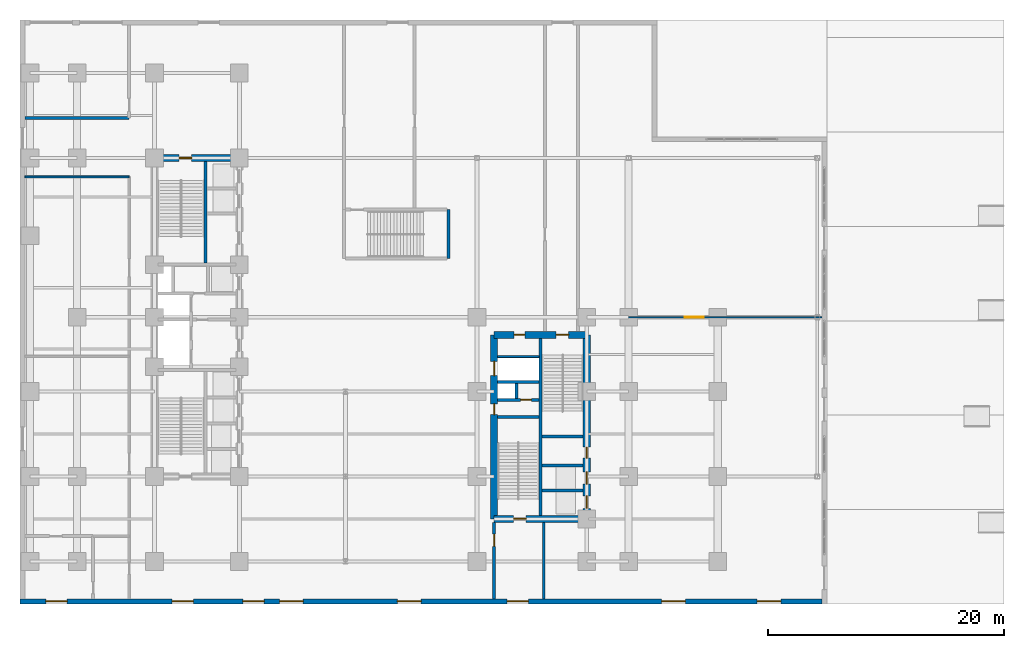
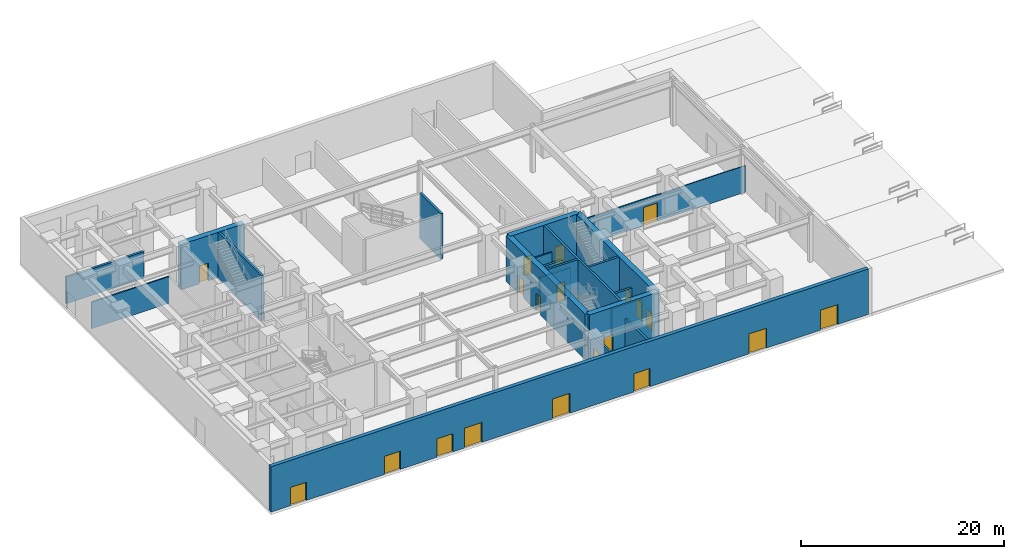
# One storey, part 11 of 18: 22 walls, 20 doors, 20 openings.
"""IFC4 building model written with IfcOpenShell, lengths in metres."""

from ifc_helpers import new_model, entity, si_unit, converted_unit, direction, frame, origin_with_axes, origin_2d_with_axis, place, context, subcontext, project, spatial, polyline, rectangle, outline, extrude, material, layer, layer_set, type_object, element, fill, save


model = new_model("IFC4")

# Units and contexts
model_context = context("Model", 3, precision=1e-05, world=origin_with_axes(), true_north=direction((0.0, 1.0)))
body_context = subcontext(model_context, "Body", "Model", "MODEL_VIEW")
ifc_project = project(units=[si_unit("LENGTHUNIT", "METRE"), si_unit("AREAUNIT", "SQUARE_METRE"), si_unit("VOLUMEUNIT", "CUBIC_METRE"), converted_unit("PLANEANGLEUNIT", "DEGREE", entity("IfcPlaneAngleMeasure", 0.017453292519943295), si_unit("PLANEANGLEUNIT", "RADIAN"), dimensions=[0, 0, 0, 0, 0, 0, 0]), si_unit("MASSUNIT", "GRAM", prefix="KILO"), si_unit("THERMODYNAMICTEMPERATUREUNIT", "KELVIN")], contexts=[model_context])

# Site, building, storey
site_placement = place(None, origin_with_axes())
site = spatial("IfcSite", under=ifc_project, at=site_placement, CompositionType="ELEMENT")
building_placement = place(site_placement, origin_with_axes())
building = spatial("IfcBuilding", under=site, at=building_placement, Name="Varnlund Millrace Tower", CompositionType="ELEMENT")
storey_placement = place(building_placement, origin_with_axes())
storey = spatial("IfcBuildingStorey", under=building, at=storey_placement, Name="L00", CompositionType="ELEMENT", Elevation=0.0)

# Wall, opening, door
ifc_material_1 = material(Name="Concrete C80/95", Category="concrete")
ifc_layer_1 = layer(ifc_material_1, 0.6, Name="Concrete C80/95")
ifc_layer_set_1 = layer_set([ifc_layer_1], Name="Concrete C80/95")
wall_type_1 = type_object("IfcWallType", Name="Type-CoreWall-Shear-600-C80", PredefinedType="SHEAR", material=ifc_layer_set_1)
wall_1_placement = place(storey_placement, frame((11.4, 37.8, 0.0), z_axis=(0.0, 0.0, 1.0), x_axis=(1.0, 0.0, 0.0)))
wall_1 = element("IfcWall", 1, at=wall_1_placement, inside=storey, type_object=wall_type_1, Name="Type-CoreWall-Shear-600-C80", PredefinedType="SHEAR", context=body_context, shape_type="SweptSolid", body=[
    extrude(outline(polyline([(0.0, -0.3), (7.2, -0.3), (7.2, 0.3), (0.0, 0.3), (0.0, -0.3)])), origin_with_axes(), (0.0, 0.0, 1.0), 5.46),
])
opening_1_placement = place(wall_1_placement, frame((2.625, 0.0, 0.0), z_axis=(0.0, 0.0, 1.0), x_axis=(1.0, 0.0, 0.0)))
opening_1 = element("IfcOpeningElement", 2, at=opening_1_placement, cuts=wall_1, Name="Opening L00:DR-STA2", PredefinedType="OPENING", context=body_context, shape_type="SweptSolid", body=[
    extrude(rectangle(XDim=1.05, YDim=0.62, at=origin_2d_with_axis()), origin_with_axes(), (0.0, 0.0, 1.0), 2.15),
])
ifc_material_2 = material(Name="Fire-rated hollow steel door", Category="steel")
door_type_1 = type_object("IfcDoorType", Name="Type-FireDoor-Stair-1050X2150", OperationType="NOTDEFINED", PredefinedType="DOOR", material=ifc_material_2)
door_1_placement = place(wall_1_placement, frame((2.625, 0.0, 0.0), z_axis=(0.0, 0.0, 1.0), x_axis=(1.0, 0.0, 0.0)))
door_1 = element("IfcDoor", 3, at=door_1_placement, inside=storey, type_object=door_type_1, Name="Type-FireDoor-Stair-1050X2150", OperationType="SINGLE_SWING_RIGHT", OverallHeight=2.15, OverallWidth=1.05, PredefinedType="DOOR", context=body_context, shape_type="SweptSolid", body=[
    extrude(rectangle(XDim=1.05, YDim=0.09, at=origin_2d_with_axis()), origin_with_axes(), (0.0, 0.0, 1.0), 2.15),
])
fill(opening_1, door_1)

# Wall, openings, doors
wall_2_placement = place(storey_placement, frame((40.2, 7.2, 0.0), z_axis=(0.0, 0.0, 1.0), x_axis=(0.0, 1.0, 0.0)))
wall_2 = element("IfcWall", 4, at=wall_2_placement, inside=storey, type_object=wall_type_1, Name="Type-CoreWall-Shear-600-C80", PredefinedType="SHEAR", context=body_context, shape_type="SweptSolid", body=[
    extrude(outline(polyline([(0.0, -0.3), (15.6, -0.3), (15.6, 0.3), (0.0, 0.3), (0.0, -0.3)])), origin_with_axes(), (0.0, 0.0, 1.0), 5.46),
])
opening_2_placement = place(wall_2_placement, frame((12.75, 0.0, 0.0), z_axis=(0.0, 0.0, 1.0), x_axis=(1.0, 0.0, 0.0)))
opening_2 = element("IfcOpeningElement", 5, at=opening_2_placement, cuts=wall_2, Name="Opening L00:LD-SRV2", PredefinedType="OPENING", context=body_context, shape_type="SweptSolid", body=[
    extrude(rectangle(XDim=1.2, YDim=0.62, at=origin_2d_with_axis()), origin_with_axes(), (0.0, 0.0, 1.0), 2.15),
])
opening_3_placement = place(wall_2_placement, frame((9.3, 0.0, 0.0), z_axis=(0.0, 0.0, 1.0), x_axis=(1.0, 0.0, 0.0)))
opening_3 = element("IfcOpeningElement", 6, at=opening_3_placement, cuts=wall_2, Name="Opening L00:DR-CB-JAN", PredefinedType="OPENING", context=body_context, shape_type="SweptSolid", body=[
    extrude(rectangle(XDim=0.9, YDim=0.62, at=origin_2d_with_axis()), origin_with_axes(), (0.0, 0.0, 1.0), 2.15),
])
ifc_material_3 = material(Name="Fire-rated hollow steel service closet door", Category="steel")
door_type_2 = type_object("IfcDoorType", Name="Type-FireDoor-Closet-900X2150", OperationType="NOTDEFINED", PredefinedType="DOOR", material=ifc_material_3)
door_2_placement = place(wall_2_placement, frame((9.3, 0.0, 0.0), z_axis=(0.0, 0.0, 1.0), x_axis=(1.0, 0.0, 0.0)))
door_2 = element("IfcDoor", 7, at=door_2_placement, inside=storey, type_object=door_type_2, Name="Type-FireDoor-Closet-900X2150", OperationType="SINGLE_SWING_RIGHT", OverallHeight=2.15, OverallWidth=0.9, PredefinedType="DOOR", context=body_context, shape_type="SweptSolid", body=[
    extrude(rectangle(XDim=0.9, YDim=0.09, at=origin_2d_with_axis()), origin_with_axes(), (0.0, 0.0, 1.0), 2.15),
])
fill(opening_3, door_2)
ifc_material_4 = material(Name="Heavy-duty freight sliding landing door")
door_type_3 = type_object("IfcDoorType", Name="Type-LiftLandingDoor-Service-1200X2150", OperationType="NOTDEFINED", PredefinedType="DOOR", material=ifc_material_4)
door_3_placement = place(wall_2_placement, frame((12.75, 0.0, 0.0), z_axis=(0.0, 0.0, 1.0), x_axis=(1.0, 0.0, 0.0)))
door_3 = element("IfcDoor", 8, at=door_3_placement, inside=storey, type_object=door_type_3, Name="Type-LiftLandingDoor-Service-1200X2150", OperationType="DOUBLE_DOOR_SLIDING", OverallHeight=2.15, OverallWidth=1.2, PredefinedType="DOOR", context=body_context, shape_type="SweptSolid", body=[
    extrude(rectangle(XDim=1.2, YDim=0.09, at=origin_2d_with_axis()), origin_with_axes(), (0.0, 0.0, 1.0), 2.15),
])
fill(opening_2, door_3)

# Wall, opening, door
wall_3_placement = place(storey_placement, frame((40.2, 7.2, 0.0), z_axis=(0.0, 0.0, 1.0), x_axis=(1.0, 0.0, 0.0)))
wall_3 = element("IfcWall", 9, at=wall_3_placement, inside=storey, type_object=wall_type_1, Name="Type-CoreWall-Shear-600-C80", PredefinedType="SHEAR", context=body_context, shape_type="SweptSolid", body=[
    extrude(outline(polyline([(0.0, -0.3), (7.85, -0.3), (7.85, 0.3), (0.0, 0.3), (0.0, -0.3)])), origin_with_axes(), (0.0, 0.0, 1.0), 5.46),
])
opening_4_placement = place(wall_3_placement, frame((2.175, 0.0, 0.0), z_axis=(0.0, 0.0, 1.0), x_axis=(1.0, 0.0, 0.0)))
opening_4 = element("IfcOpeningElement", 10, at=opening_4_placement, cuts=wall_3, Name="Opening L00:DR-STB1", PredefinedType="OPENING", context=body_context, shape_type="SweptSolid", body=[
    extrude(rectangle(XDim=1.05, YDim=0.62, at=origin_2d_with_axis()), origin_with_axes(), (0.0, 0.0, 1.0), 2.15),
])
door_4_placement = place(wall_3_placement, frame((2.175, 0.0, 0.0), z_axis=(0.0, 0.0, 1.0), x_axis=(1.0, 0.0, 0.0)))
door_4 = element("IfcDoor", 11, at=door_4_placement, inside=storey, type_object=door_type_1, Name="Type-FireDoor-Stair-1050X2150", OperationType="SINGLE_SWING_LEFT", OverallHeight=2.15, OverallWidth=1.05, PredefinedType="DOOR", context=body_context, shape_type="SweptSolid", body=[
    extrude(rectangle(XDim=1.05, YDim=0.09, at=origin_2d_with_axis()), origin_with_axes(), (0.0, 0.0, 1.0), 2.15),
])
fill(opening_4, door_4)

# Wall, openings, doors
wall_4_placement = place(storey_placement, frame((40.2, 22.8, 0.0), z_axis=(0.0, 0.0, 1.0), x_axis=(1.0, 0.0, 0.0)))
wall_4 = element("IfcWall", 12, at=wall_4_placement, inside=storey, type_object=wall_type_1, Name="Type-CoreWall-Shear-600-C80", PredefinedType="SHEAR", context=body_context, shape_type="SweptSolid", body=[
    extrude(outline(polyline([(0.0, -0.3), (7.85, -0.3), (7.85, 0.3), (0.0, 0.3), (0.0, -0.3)])), origin_with_axes(), (0.0, 0.0, 1.0), 5.46),
])
opening_5_placement = place(wall_4_placement, frame((5.775, 0.0, 0.0), z_axis=(0.0, 0.0, 1.0), x_axis=(1.0, 0.0, 0.0)))
opening_5 = element("IfcOpeningElement", 13, at=opening_5_placement, cuts=wall_4, Name="Opening L00:DR-STB2", PredefinedType="OPENING", context=body_context, shape_type="SweptSolid", body=[
    extrude(rectangle(XDim=1.05, YDim=0.62, at=origin_2d_with_axis()), origin_with_axes(), (0.0, 0.0, 1.0), 2.15),
])
opening_6_placement = place(wall_4_placement, frame((2.15, 0.0, 0.0), z_axis=(0.0, 0.0, 1.0), x_axis=(1.0, 0.0, 0.0)))
opening_6 = element("IfcOpeningElement", 14, at=opening_6_placement, cuts=wall_4, Name="Opening L00:DR-CB-NW", PredefinedType="OPENING", context=body_context, shape_type="SweptSolid", body=[
    extrude(rectangle(XDim=0.9, YDim=0.62, at=origin_2d_with_axis()), origin_with_axes(), (0.0, 0.0, 1.0), 2.15),
])
door_5_placement = place(wall_4_placement, frame((2.15, 0.0, 0.0), z_axis=(0.0, 0.0, 1.0), x_axis=(1.0, 0.0, 0.0)))
door_5 = element("IfcDoor", 15, at=door_5_placement, inside=storey, type_object=door_type_2, Name="Type-FireDoor-Closet-900X2150", OperationType="SINGLE_SWING_LEFT", OverallHeight=2.15, OverallWidth=0.9, PredefinedType="DOOR", context=body_context, shape_type="SweptSolid", body=[
    extrude(rectangle(XDim=0.9, YDim=0.09, at=origin_2d_with_axis()), origin_with_axes(), (0.0, 0.0, 1.0), 2.15),
])
fill(opening_6, door_5)
door_6_placement = place(wall_4_placement, frame((5.775, 0.0, 0.0), z_axis=(0.0, 0.0, 1.0), x_axis=(1.0, 0.0, 0.0)))
door_6 = element("IfcDoor", 16, at=door_6_placement, inside=storey, type_object=door_type_1, Name="Type-FireDoor-Stair-1050X2150", OperationType="SINGLE_SWING_RIGHT", OverallHeight=2.15, OverallWidth=1.05, PredefinedType="DOOR", context=body_context, shape_type="SweptSolid", body=[
    extrude(rectangle(XDim=1.05, YDim=0.09, at=origin_2d_with_axis()), origin_with_axes(), (0.0, 0.0, 1.0), 2.15),
])
fill(opening_5, door_6)

wall_5_placement = place(storey_placement, frame((48.05, 7.2, 0.0), z_axis=(0.0, 0.0, 1.0), x_axis=(0.0, 1.0, 0.0)))
wall_5 = element("IfcWall", 17, at=wall_5_placement, inside=storey, type_object=wall_type_1, Name="Type-CoreWall-Shear-600-C80", PredefinedType="SHEAR", context=body_context, shape_type="SweptSolid", body=[
    extrude(outline(polyline([(0.0, -0.3), (15.6, -0.3), (15.6, 0.3), (0.0, 0.3), (0.0, -0.3)])), origin_with_axes(), (0.0, 0.0, 1.0), 5.46),
])
opening_7_placement = place(wall_5_placement, frame((1.425, 0.0, 0.0), z_axis=(0.0, 0.0, 1.0), x_axis=(1.0, 0.0, 0.0)))
opening_7 = element("IfcOpeningElement", 18, at=opening_7_placement, cuts=wall_5, Name="Opening L00:LD-ELV-L3", PredefinedType="OPENING", context=body_context, shape_type="SweptSolid", body=[
    extrude(rectangle(XDim=1.05, YDim=0.62, at=origin_2d_with_axis()), origin_with_axes(), (0.0, 0.0, 1.0), 2.15),
])
opening_8_placement = place(wall_5_placement, frame((3.475, 0.0, 0.0), z_axis=(0.0, 0.0, 1.0), x_axis=(1.0, 0.0, 0.0)))
opening_8 = element("IfcOpeningElement", 19, at=opening_8_placement, cuts=wall_5, Name="Opening L00:LD-ELV-L4", PredefinedType="OPENING", context=body_context, shape_type="SweptSolid", body=[
    extrude(rectangle(XDim=1.05, YDim=0.62, at=origin_2d_with_axis()), origin_with_axes(), (0.0, 0.0, 1.0), 2.15),
])
opening_9_placement = place(wall_5_placement, frame((5.625, 0.0, 0.0), z_axis=(0.0, 0.0, 1.0), x_axis=(1.0, 0.0, 0.0)))
opening_9 = element("IfcOpeningElement", 20, at=opening_9_placement, cuts=wall_5, Name="Opening L00:DR-CB-WC", PredefinedType="OPENING", context=body_context, shape_type="SweptSolid", body=[
    extrude(rectangle(XDim=0.95, YDim=0.62, at=origin_2d_with_axis()), origin_with_axes(), (0.0, 0.0, 1.0), 2.15),
])
ifc_material_5 = material(Name="Fire-rated hollow steel core service door", Category="steel")
door_type_4 = type_object("IfcDoorType", Name="Type-FireDoor-Service-950X2150", OperationType="NOTDEFINED", PredefinedType="DOOR", material=ifc_material_5)
door_7_placement = place(wall_5_placement, frame((5.625, 0.0, 0.0), z_axis=(0.0, 0.0, 1.0), x_axis=(1.0, 0.0, 0.0)))
door_7 = element("IfcDoor", 21, at=door_7_placement, inside=storey, type_object=door_type_4, Name="Type-FireDoor-Service-950X2150", OperationType="SINGLE_SWING_LEFT", OverallHeight=2.15, OverallWidth=0.95, PredefinedType="DOOR", context=body_context, shape_type="SweptSolid", body=[
    extrude(rectangle(XDim=0.95, YDim=0.09, at=origin_2d_with_axis()), origin_with_axes(), (0.0, 0.0, 1.0), 2.15),
])
fill(opening_9, door_7)
ifc_material_6 = material(Name="Architectural bronze sliding landing door")
door_type_5 = type_object("IfcDoorType", Name="Type-LiftLandingDoor-Compact-1050X2150", OperationType="NOTDEFINED", PredefinedType="DOOR", material=ifc_material_6)
door_8_placement = place(wall_5_placement, frame((1.425, 0.0, 0.0), z_axis=(0.0, 0.0, 1.0), x_axis=(1.0, 0.0, 0.0)))
door_8 = element("IfcDoor", 22, at=door_8_placement, inside=storey, type_object=door_type_5, Name="Type-LiftLandingDoor-Compact-1050X2150", OperationType="SLIDING_TO_LEFT", OverallHeight=2.15, OverallWidth=1.05, PredefinedType="DOOR", context=body_context, shape_type="SweptSolid", body=[
    extrude(rectangle(XDim=1.05, YDim=0.09, at=origin_2d_with_axis()), origin_with_axes(), (0.0, 0.0, 1.0), 2.15),
])
fill(opening_7, door_8)
door_9_placement = place(wall_5_placement, frame((3.475, 0.0, 0.0), z_axis=(0.0, 0.0, 1.0), x_axis=(1.0, 0.0, 0.0)))
door_9 = element("IfcDoor", 23, at=door_9_placement, inside=storey, type_object=door_type_5, Name="Type-LiftLandingDoor-Compact-1050X2150", OperationType="SLIDING_TO_RIGHT", OverallHeight=2.15, OverallWidth=1.05, PredefinedType="DOOR", context=body_context, shape_type="SweptSolid", body=[
    extrude(rectangle(XDim=1.05, YDim=0.09, at=origin_2d_with_axis()), origin_with_axes(), (0.0, 0.0, 1.0), 2.15),
])
fill(opening_8, door_9)

ifc_material_7 = material(Name="Precast concrete C50/60", Category="concrete")
ifc_layer_2 = layer(ifc_material_7, 0.42, Name="Precast concrete C50/60")
ifc_layer_set_2 = layer_set([ifc_layer_2], Name="Precast concrete C50/60")
wall_type_2 = type_object("IfcWallType", Name="Type-ExtWall-Precast-Pier-420", PredefinedType="SOLIDWALL", material=ifc_layer_set_2)
wall_6_placement = place(storey_placement, frame((67.98, 0.21, 0.0), z_axis=(0.0, 0.0, 1.0), x_axis=(-1.0, 0.0, 0.0)))
wall_6 = element("IfcWall", 24, at=wall_6_placement, inside=storey, type_object=wall_type_2, Name="Type-ExtWall-Precast-Pier-420", PredefinedType="SOLIDWALL", context=body_context, shape_type="SweptSolid", body=[
    extrude(outline(polyline([(0.0, -0.21), (67.98, -0.21), (67.98, 0.21), (0.0, 0.21), (0.0, -0.21)])), origin_with_axes(), (0.0, 0.0, 1.0), 5.46),
])
opening_10_placement = place(wall_6_placement, frame((64.88, 0.0, 0.0), z_axis=(0.0, 0.0, 1.0), x_axis=(1.0, 0.0, 0.0)))
opening_10 = element("IfcOpeningElement", 25, at=opening_10_placement, cuts=wall_6, Name="Opening L00:DR-EXT-FCC", PredefinedType="OPENING", context=body_context, shape_type="SweptSolid", body=[
    extrude(rectangle(XDim=1.8, YDim=0.44, at=origin_2d_with_axis()), origin_with_axes(), (0.0, 0.0, 1.0), 2.2),
])
opening_11_placement = place(wall_6_placement, frame((54.18, 0.0, 0.0), z_axis=(0.0, 0.0, 1.0), x_axis=(1.0, 0.0, 0.0)))
opening_11 = element("IfcOpeningElement", 26, at=opening_11_placement, cuts=wall_6, Name="Opening L00:DR-EXT-S1", PredefinedType="OPENING", context=body_context, shape_type="SweptSolid", body=[
    extrude(rectangle(XDim=1.8, YDim=0.44, at=origin_2d_with_axis()), origin_with_axes(), (0.0, 0.0, 1.0), 2.2),
])
opening_12_placement = place(wall_6_placement, frame((48.18, 0.0, 0.0), z_axis=(0.0, 0.0, 1.0), x_axis=(1.0, 0.0, 0.0)))
opening_12 = element("IfcOpeningElement", 27, at=opening_12_placement, cuts=wall_6, Name="Opening L00:DR-EXT-S2", PredefinedType="OPENING", context=body_context, shape_type="SweptSolid", body=[
    extrude(rectangle(XDim=1.8, YDim=0.44, at=origin_2d_with_axis()), origin_with_axes(), (0.0, 0.0, 1.0), 2.2),
])
opening_13_placement = place(wall_6_placement, frame((44.98, 0.0, 0.0), z_axis=(0.0, 0.0, 1.0), x_axis=(1.0, 0.0, 0.0)))
opening_13 = element("IfcOpeningElement", 28, at=opening_13_placement, cuts=wall_6, Name="Opening L00:DR-CONC-S1", PredefinedType="OPENING", context=body_context, shape_type="SweptSolid", body=[
    extrude(rectangle(XDim=2.0, YDim=0.44, at=origin_2d_with_axis()), origin_with_axes(), (0.0, 0.0, 1.0), 2.4),
])
opening_14_placement = place(wall_6_placement, frame((34.98, 0.0, 0.0), z_axis=(0.0, 0.0, 1.0), x_axis=(1.0, 0.0, 0.0)))
opening_14 = element("IfcOpeningElement", 29, at=opening_14_placement, cuts=wall_6, Name="Opening L00:DR-CONC-S2", PredefinedType="OPENING", context=body_context, shape_type="SweptSolid", body=[
    extrude(rectangle(XDim=2.0, YDim=0.44, at=origin_2d_with_axis()), origin_with_axes(), (0.0, 0.0, 1.0), 2.4),
])
opening_15_placement = place(wall_6_placement, frame((25.78, 0.0, 0.0), z_axis=(0.0, 0.0, 1.0), x_axis=(1.0, 0.0, 0.0)))
opening_15 = element("IfcOpeningElement", 30, at=opening_15_placement, cuts=wall_6, Name="Opening L00:DR-EXT-S3", PredefinedType="OPENING", context=body_context, shape_type="SweptSolid", body=[
    extrude(rectangle(XDim=1.8, YDim=0.44, at=origin_2d_with_axis()), origin_with_axes(), (0.0, 0.0, 1.0), 2.2),
])
opening_16_placement = place(wall_6_placement, frame((12.58, 0.0, 0.0), z_axis=(0.0, 0.0, 1.0), x_axis=(1.0, 0.0, 0.0)))
opening_16 = element("IfcOpeningElement", 31, at=opening_16_placement, cuts=wall_6, Name="Opening L00:DR-CONC-S3", PredefinedType="OPENING", context=body_context, shape_type="SweptSolid", body=[
    extrude(rectangle(XDim=2.0, YDim=0.44, at=origin_2d_with_axis()), origin_with_axes(), (0.0, 0.0, 1.0), 2.4),
])
opening_17_placement = place(wall_6_placement, frame((4.48, 0.0, 0.0), z_axis=(0.0, 0.0, 1.0), x_axis=(1.0, 0.0, 0.0)))
opening_17 = element("IfcOpeningElement", 32, at=opening_17_placement, cuts=wall_6, Name="Opening L00:DR-CONC-S4", PredefinedType="OPENING", context=body_context, shape_type="SweptSolid", body=[
    extrude(rectangle(XDim=2.0, YDim=0.44, at=origin_2d_with_axis()), origin_with_axes(), (0.0, 0.0, 1.0), 2.4),
])
ifc_material_8 = material(Name="Thermally broken architectural bronze and insulated glass door", Category="glass")
door_type_6 = type_object("IfcDoorType", Name="Type-ExtDoor-Concourse-2000X2400", OperationType="NOTDEFINED", PredefinedType="DOOR", material=ifc_material_8)
door_10_placement = place(wall_6_placement, frame((44.98, 0.0, 0.0), z_axis=(0.0, 0.0, 1.0), x_axis=(1.0, 0.0, 0.0)))
door_10 = element("IfcDoor", 33, at=door_10_placement, inside=storey, type_object=door_type_6, Name="Type-ExtDoor-Concourse-2000X2400", OperationType="DOUBLE_DOOR_SINGLE_SWING", OverallHeight=2.4, OverallWidth=2.0, PredefinedType="DOOR", context=body_context, shape_type="SweptSolid", body=[
    extrude(rectangle(XDim=2.0, YDim=0.09, at=origin_2d_with_axis()), origin_with_axes(), (0.0, 0.0, 1.0), 2.4),
])
fill(opening_13, door_10)
door_11_placement = place(wall_6_placement, frame((34.98, 0.0, 0.0), z_axis=(0.0, 0.0, 1.0), x_axis=(1.0, 0.0, 0.0)))
door_11 = element("IfcDoor", 34, at=door_11_placement, inside=storey, type_object=door_type_6, Name="Type-ExtDoor-Concourse-2000X2400", OperationType="DOUBLE_DOOR_SINGLE_SWING", OverallHeight=2.4, OverallWidth=2.0, PredefinedType="DOOR", context=body_context, shape_type="SweptSolid", body=[
    extrude(rectangle(XDim=2.0, YDim=0.09, at=origin_2d_with_axis()), origin_with_axes(), (0.0, 0.0, 1.0), 2.4),
])
fill(opening_14, door_11)
door_12_placement = place(wall_6_placement, frame((12.58, 0.0, 0.0), z_axis=(0.0, 0.0, 1.0), x_axis=(1.0, 0.0, 0.0)))
door_12 = element("IfcDoor", 35, at=door_12_placement, inside=storey, type_object=door_type_6, Name="Type-ExtDoor-Concourse-2000X2400", OperationType="DOUBLE_DOOR_SINGLE_SWING", OverallHeight=2.4, OverallWidth=2.0, PredefinedType="DOOR", context=body_context, shape_type="SweptSolid", body=[
    extrude(rectangle(XDim=2.0, YDim=0.09, at=origin_2d_with_axis()), origin_with_axes(), (0.0, 0.0, 1.0), 2.4),
])
fill(opening_16, door_12)
door_13_placement = place(wall_6_placement, frame((4.48, 0.0, 0.0), z_axis=(0.0, 0.0, 1.0), x_axis=(1.0, 0.0, 0.0)))
door_13 = element("IfcDoor", 36, at=door_13_placement, inside=storey, type_object=door_type_6, Name="Type-ExtDoor-Concourse-2000X2400", OperationType="DOUBLE_DOOR_SINGLE_SWING", OverallHeight=2.4, OverallWidth=2.0, PredefinedType="DOOR", context=body_context, shape_type="SweptSolid", body=[
    extrude(rectangle(XDim=2.0, YDim=0.09, at=origin_2d_with_axis()), origin_with_axes(), (0.0, 0.0, 1.0), 2.4),
])
fill(opening_17, door_13)
door_type_7 = type_object("IfcDoorType", Name="Type-ExtDoor-ExitPair-1800X2200", OperationType="NOTDEFINED", PredefinedType="DOOR", material=ifc_material_8)
door_14_placement = place(wall_6_placement, frame((64.88, 0.0, 0.0), z_axis=(0.0, 0.0, 1.0), x_axis=(1.0, 0.0, 0.0)))
door_14 = element("IfcDoor", 37, at=door_14_placement, inside=storey, type_object=door_type_7, Name="Type-ExtDoor-ExitPair-1800X2200", OperationType="DOUBLE_DOOR_SINGLE_SWING", OverallHeight=2.2, OverallWidth=1.8, PredefinedType="DOOR", context=body_context, shape_type="SweptSolid", body=[
    extrude(rectangle(XDim=1.8, YDim=0.09, at=origin_2d_with_axis()), origin_with_axes(), (0.0, 0.0, 1.0), 2.2),
])
fill(opening_10, door_14)
door_15_placement = place(wall_6_placement, frame((54.18, 0.0, 0.0), z_axis=(0.0, 0.0, 1.0), x_axis=(1.0, 0.0, 0.0)))
door_15 = element("IfcDoor", 38, at=door_15_placement, inside=storey, type_object=door_type_7, Name="Type-ExtDoor-ExitPair-1800X2200", OperationType="DOUBLE_DOOR_SINGLE_SWING", OverallHeight=2.2, OverallWidth=1.8, PredefinedType="DOOR", context=body_context, shape_type="SweptSolid", body=[
    extrude(rectangle(XDim=1.8, YDim=0.09, at=origin_2d_with_axis()), origin_with_axes(), (0.0, 0.0, 1.0), 2.2),
])
fill(opening_11, door_15)
door_16_placement = place(wall_6_placement, frame((48.18, 0.0, 0.0), z_axis=(0.0, 0.0, 1.0), x_axis=(1.0, 0.0, 0.0)))
door_16 = element("IfcDoor", 39, at=door_16_placement, inside=storey, type_object=door_type_7, Name="Type-ExtDoor-ExitPair-1800X2200", OperationType="DOUBLE_DOOR_SINGLE_SWING", OverallHeight=2.2, OverallWidth=1.8, PredefinedType="DOOR", context=body_context, shape_type="SweptSolid", body=[
    extrude(rectangle(XDim=1.8, YDim=0.09, at=origin_2d_with_axis()), origin_with_axes(), (0.0, 0.0, 1.0), 2.2),
])
fill(opening_12, door_16)
door_17_placement = place(wall_6_placement, frame((25.78, 0.0, 0.0), z_axis=(0.0, 0.0, 1.0), x_axis=(1.0, 0.0, 0.0)))
door_17 = element("IfcDoor", 40, at=door_17_placement, inside=storey, type_object=door_type_7, Name="Type-ExtDoor-ExitPair-1800X2200", OperationType="DOUBLE_DOOR_SINGLE_SWING", OverallHeight=2.2, OverallWidth=1.8, PredefinedType="DOOR", context=body_context, shape_type="SweptSolid", body=[
    extrude(rectangle(XDim=1.8, YDim=0.09, at=origin_2d_with_axis()), origin_with_axes(), (0.0, 0.0, 1.0), 2.2),
])
fill(opening_15, door_17)

# Walls
ifc_material_9 = material(Name="Fire-rated gypsum board on cold-formed steel framing", Category="steel")
ifc_layer_3 = layer(ifc_material_9, 0.16, Name="Fire-rated gypsum board on cold-formed steel framing")
ifc_layer_set_3 = layer_set([ifc_layer_3], Name="Fire-rated gypsum board on cold-formed steel framing")
wall_type_3 = type_object("IfcWallType", Name="Type-Partition-Corridor-160", PredefinedType="PARTITIONING", material=ifc_layer_set_3)
wall_7_placement = place(storey_placement, frame((40.5, 20.96, 0.0), z_axis=(0.0, 0.0, 1.0), x_axis=(1.0, 0.0, 0.0)))
element("IfcWall", 41, at=wall_7_placement, inside=storey, type_object=wall_type_3, Name="Type-Partition-Corridor-160", PredefinedType="PARTITIONING", context=body_context, shape_type="SweptSolid", body=[
    extrude(outline(polyline([(0.0, -0.08), (3.5, -0.08), (3.5, 0.08), (0.0, 0.08), (0.0, -0.08)])), origin_with_axes(), (0.0, 0.0, 1.0), 3.2),
])
wall_8_placement = place(storey_placement, frame((0.42, 36.2, 0.0), z_axis=(0.0, 0.0, 1.0), x_axis=(1.0, 0.0, 0.0)))
element("IfcWall", 42, at=wall_8_placement, inside=storey, type_object=wall_type_3, Name="Type-Partition-Corridor-160", PredefinedType="PARTITIONING", context=body_context, shape_type="SweptSolid", body=[
    extrude(outline(polyline([(0.0, -0.08), (8.83, -0.08), (8.83, 0.08), (0.0, 0.08), (0.0, -0.08)])), origin_with_axes(), (0.0, 0.0, 1.0), 3.2),
])

# Wall, opening, door
ifc_material_10 = material(Name="Architectural bronze and acoustic glass office front", Category="glass")
ifc_layer_4 = layer(ifc_material_10, 0.1, Name="Architectural bronze and acoustic glass office front")
ifc_layer_set_4 = layer_set([ifc_layer_4], Name="Architectural bronze and acoustic glass office front")
wall_type_4 = type_object("IfcWallType", Name="Type-Partition-Glazed-100", PredefinedType="PARTITIONING", material=ifc_layer_set_4)
wall_9_placement = place(storey_placement, frame((48.35, 24.3, 0.0), z_axis=(0.0, 0.0, 1.0), x_axis=(1.0, 0.0, 0.0)))
wall_9 = element("IfcWall", 43, at=wall_9_placement, inside=storey, type_object=wall_type_4, Name="Type-Partition-Glazed-100", PredefinedType="PARTITIONING", context=body_context, shape_type="SweptSolid", body=[
    extrude(outline(polyline([(0.0, -0.05), (19.63, -0.05), (19.63, 0.05), (0.0, 0.05), (0.0, -0.05)])), origin_with_axes(), (0.0, 0.0, 1.0), 3.2),
])
opening_18_placement = place(wall_9_placement, frame((8.8, 0.0, 0.0), z_axis=(0.0, 0.0, 1.0), x_axis=(1.0, 0.0, 0.0)))
opening_18 = element("IfcOpeningElement", 44, at=opening_18_placement, cuts=wall_9, Name="Opening L00:DR-L00-CAF", PredefinedType="OPENING", context=body_context, shape_type="SweptSolid", body=[
    extrude(rectangle(XDim=1.6, YDim=0.12, at=origin_2d_with_axis()), origin_with_axes(), (0.0, 0.0, 1.0), 2.2),
])
ifc_material_11 = material(Name="Architectural bronze concourse double door")
door_type_8 = type_object("IfcDoorType", Name="Type-IntDoor-SuitePair-1600X2200", OperationType="NOTDEFINED", PredefinedType="DOOR", material=ifc_material_11)
door_18_placement = place(wall_9_placement, frame((8.8, 0.0, 0.0), z_axis=(0.0, 0.0, 1.0), x_axis=(1.0, 0.0, 0.0)))
door_18 = element("IfcDoor", 45, at=door_18_placement, inside=storey, type_object=door_type_8, Name="Type-IntDoor-SuitePair-1600X2200", OperationType="DOUBLE_DOOR_SINGLE_SWING", OverallHeight=2.2, OverallWidth=1.6, PredefinedType="DOOR", context=body_context, shape_type="SweptSolid", body=[
    extrude(rectangle(XDim=1.6, YDim=0.06, at=origin_2d_with_axis()), origin_with_axes(), (0.0, 0.0, 1.0), 2.2),
])
fill(opening_18, door_18)

ifc_material_12 = material(Name="Concrete C60/75", Category="concrete")
ifc_layer_5 = layer(ifc_material_12, 0.25, Name="Concrete C60/75")
ifc_layer_set_5 = layer_set([ifc_layer_5], Name="Concrete C60/75")
wall_type_5 = type_object("IfcWallType", Name="Type-ShaftWall-Fire-250", PredefinedType="SOLIDWALL", material=ifc_layer_set_5)
wall_10_placement = place(storey_placement, frame((40.5, 17.3, 0.0), z_axis=(0.0, 0.0, 1.0), x_axis=(1.0, 0.0, 0.0)))
wall_10 = element("IfcWall", 46, at=wall_10_placement, inside=storey, type_object=wall_type_5, Name="Type-ShaftWall-Fire-250", PredefinedType="SOLIDWALL", context=body_context, shape_type="SweptSolid", body=[
    extrude(outline(polyline([(0.0, -0.125), (3.5, -0.125), (3.5, 0.125), (0.0, 0.125), (0.0, -0.125)])), origin_with_axes(), (0.0, 0.0, 1.0), 3.6),
])
opening_19_placement = place(wall_10_placement, frame((2.4, 0.0, 0.0), z_axis=(0.0, 0.0, 1.0), x_axis=(1.0, 0.0, 0.0)))
opening_19 = element("IfcOpeningElement", 47, at=opening_19_placement, cuts=wall_10, Name="Opening L00:DR-CB-ELC", PredefinedType="OPENING", context=body_context, shape_type="SweptSolid", body=[
    extrude(rectangle(XDim=0.9, YDim=0.27, at=origin_2d_with_axis()), origin_with_axes(), (0.0, 0.0, 1.0), 2.15),
])
door_19_placement = place(wall_10_placement, frame((2.4, 0.0, 0.0), z_axis=(0.0, 0.0, 1.0), x_axis=(1.0, 0.0, 0.0)))
door_19 = element("IfcDoor", 48, at=door_19_placement, inside=storey, type_object=door_type_2, Name="Type-FireDoor-Closet-900X2150", OperationType="SINGLE_SWING_LEFT", OverallHeight=2.15, OverallWidth=0.9, PredefinedType="DOOR", context=body_context, shape_type="SweptSolid", body=[
    extrude(rectangle(XDim=0.9, YDim=0.09, at=origin_2d_with_axis()), origin_with_axes(), (0.0, 0.0, 1.0), 2.15),
])
fill(opening_19, door_19)

# Walls
wall_11_placement = place(storey_placement, frame((40.5, 18.8, 0.0), z_axis=(0.0, 0.0, 1.0), x_axis=(1.0, 0.0, 0.0)))
element("IfcWall", 49, at=wall_11_placement, inside=storey, type_object=wall_type_5, Name="Type-ShaftWall-Fire-250", PredefinedType="SOLIDWALL", context=body_context, shape_type="SweptSolid", body=[
    extrude(outline(polyline([(0.0, -0.125), (3.5, -0.125), (3.5, 0.125), (0.0, 0.125), (0.0, -0.125)])), origin_with_axes(), (0.0, 0.0, 1.0), 3.6),
])
wall_12_placement = place(storey_placement, frame((42.075, 17.43, 0.0), z_axis=(0.0, 0.0, 1.0), x_axis=(0.0, 1.0, 0.0)))
element("IfcWall", 50, at=wall_12_placement, inside=storey, type_object=wall_type_5, Name="Type-ShaftWall-Fire-250", PredefinedType="SOLIDWALL", context=body_context, shape_type="SweptSolid", body=[
    extrude(outline(polyline([(0.0, -0.125), (1.24, -0.125), (1.24, 0.125), (0.0, 0.125), (0.0, -0.125)])), origin_with_axes(), (0.0, 0.0, 1.0), 3.6),
])

# Wall, opening, door
wall_13_placement = place(storey_placement, frame((40.2, 0.42, 0.0), z_axis=(0.0, 0.0, 1.0), x_axis=(0.0, 1.0, 0.0)))
wall_13 = element("IfcWall", 51, at=wall_13_placement, inside=storey, type_object=wall_type_5, Name="Type-ShaftWall-Fire-250", PredefinedType="SOLIDWALL", context=body_context, shape_type="SweptSolid", body=[
    extrude(outline(polyline([(0.0, -0.125), (6.48, -0.125), (6.48, 0.125), (0.0, 0.125), (0.0, -0.125)])), origin_with_axes(), (0.0, 0.0, 1.0), 3.6),
])
opening_20_placement = place(wall_13_placement, frame((4.975, 0.0, 0.0), z_axis=(0.0, 0.0, 1.0), x_axis=(1.0, 0.0, 0.0)))
opening_20 = element("IfcOpeningElement", 52, at=opening_20_placement, cuts=wall_13, Name="Opening L00:DR-FFLOB-B", PredefinedType="OPENING", context=body_context, shape_type="SweptSolid", body=[
    extrude(rectangle(XDim=1.05, YDim=0.27, at=origin_2d_with_axis()), origin_with_axes(), (0.0, 0.0, 1.0), 2.15),
])
ifc_material_13 = material(Name="Smoke-barrier hollow steel fire door", Category="steel")
door_type_9 = type_object("IfcDoorType", Name="Type-FireDoor-Lobby-1050X2150", OperationType="NOTDEFINED", PredefinedType="DOOR", material=ifc_material_13)
door_20_placement = place(wall_13_placement, frame((4.975, 0.0, 0.0), z_axis=(0.0, 0.0, 1.0), x_axis=(1.0, 0.0, 0.0)))
door_20 = element("IfcDoor", 53, at=door_20_placement, inside=storey, type_object=door_type_9, Name="Type-FireDoor-Lobby-1050X2150", OperationType="SINGLE_SWING_RIGHT", OverallHeight=2.15, OverallWidth=1.05, PredefinedType="DOOR", context=body_context, shape_type="SweptSolid", body=[
    extrude(rectangle(XDim=1.05, YDim=0.09, at=origin_2d_with_axis()), origin_with_axes(), (0.0, 0.0, 1.0), 2.15),
])
fill(opening_20, door_20)

# Walls
wall_14_placement = place(storey_placement, frame((44.4, 0.42, 0.0), z_axis=(0.0, 0.0, 1.0), x_axis=(0.0, 1.0, 0.0)))
element("IfcWall", 54, at=wall_14_placement, inside=storey, type_object=wall_type_5, Name="Type-ShaftWall-Fire-250", PredefinedType="SOLIDWALL", context=body_context, shape_type="SweptSolid", body=[
    extrude(outline(polyline([(0.0, -0.125), (6.48, -0.125), (6.48, 0.125), (0.0, 0.125), (0.0, -0.125)])), origin_with_axes(), (0.0, 0.0, 1.0), 3.6),
])
for number, where, z_axis, x_axis, name in (
    (55, (44.25, 9.62, 0.0), (0.0, 0.0, 1.0), (1.0, 0.0, 0.0), "Type-ShaftWall-Fire-250"),
    (56, (44.25, 11.72, 0.0), (0.0, 0.0, 1.0), (1.0, 0.0, 0.0), "Type-ShaftWall-Fire-250"),
):
    element("IfcWall", number, at=place(storey_placement, frame(where, z_axis=z_axis, x_axis=x_axis)), inside=storey, type_object=wall_type_5, Name=name, PredefinedType="SOLIDWALL", context=body_context, shape_type="SweptSolid", body=[
        extrude(outline(polyline([(0.0, -0.125), (3.5, -0.125), (3.5, 0.125), (0.0, 0.125), (0.0, -0.125)])), origin_with_axes(), (0.0, 0.0, 1.0), 3.2),
    ])
wall_15_placement = place(storey_placement, frame((0.42, 41.2, 0.0), z_axis=(0.0, 0.0, 1.0), x_axis=(1.0, 0.0, 0.0)))
element("IfcWall", 57, at=wall_15_placement, inside=storey, type_object=wall_type_5, Name="Type-ShaftWall-Fire-250", PredefinedType="SOLIDWALL", context=body_context, shape_type="SweptSolid", body=[
    extrude(outline(polyline([(0.0, -0.125), (8.83, -0.125), (8.83, 0.125), (0.0, 0.125), (0.0, -0.125)])), origin_with_axes(), (0.0, 0.0, 1.0), 3.2),
])
wall_type_6 = type_object("IfcWallType", Name="Type-StairWall-Shear-250", PredefinedType="SHEAR", material=ifc_layer_set_5)
wall_16_placement = place(storey_placement, frame((15.725, 28.9, 0.0), z_axis=(0.0, 0.0, 1.0), x_axis=(0.0, 1.0, 0.0)))
element("IfcWall", 58, at=wall_16_placement, inside=storey, type_object=wall_type_6, Name="Type-StairWall-Shear-250", PredefinedType="SHEAR", context=body_context, shape_type="SweptSolid", body=[
    extrude(outline(polyline([(0.0, -0.125), (8.6, -0.125), (8.6, 0.125), (0.0, 0.125), (0.0, -0.125)])), origin_with_axes(), (0.0, 0.0, 1.0), 5.46),
])
wall_17_placement = place(storey_placement, frame((44.125, 7.5, 0.0), z_axis=(0.0, 0.0, 1.0), x_axis=(0.0, 1.0, 0.0)))
element("IfcWall", 59, at=wall_17_placement, inside=storey, type_object=wall_type_6, Name="Type-StairWall-Shear-250", PredefinedType="SHEAR", context=body_context, shape_type="SweptSolid", body=[
    extrude(outline(polyline([(0.0, -0.125), (15.0, -0.125), (15.0, 0.125), (0.0, 0.125), (0.0, -0.125)])), origin_with_axes(), (0.0, 0.0, 1.0), 5.46),
])
for number, where, z_axis, x_axis, name in (
    (60, (40.5, 15.825, 0.0), (0.0, 0.0, 1.0), (1.0, 0.0, 0.0), "Type-StairWall-Shear-250"),
    (61, (44.25, 14.175, 0.0), (0.0, 0.0, 1.0), (1.0, 0.0, 0.0), "Type-StairWall-Shear-250"),
):
    element("IfcWall", number, at=place(storey_placement, frame(where, z_axis=z_axis, x_axis=x_axis)), inside=storey, type_object=wall_type_6, Name=name, PredefinedType="SHEAR", context=body_context, shape_type="SweptSolid", body=[
        extrude(outline(polyline([(0.0, -0.125), (3.5, -0.125), (3.5, 0.125), (0.0, 0.125), (0.0, -0.125)])), origin_with_axes(), (0.0, 0.0, 1.0), 5.46),
    ])
wall_18_placement = place(storey_placement, frame((36.325, 29.275, 0.0), z_axis=(0.0, 0.0, 1.0), x_axis=(0.0, 1.0, 0.0)))
element("IfcWall", 62, at=wall_18_placement, inside=storey, type_object=wall_type_6, Name="Type-StairWall-Shear-250", PredefinedType="SHEAR", context=body_context, shape_type="SweptSolid", body=[
    extrude(outline(polyline([(0.0, -0.125), (4.15, -0.125), (4.15, 0.125), (0.0, 0.125), (0.0, -0.125)])), origin_with_axes(), (0.0, 0.0, 1.0), 5.46),
])

save(model, "model.ifc")
